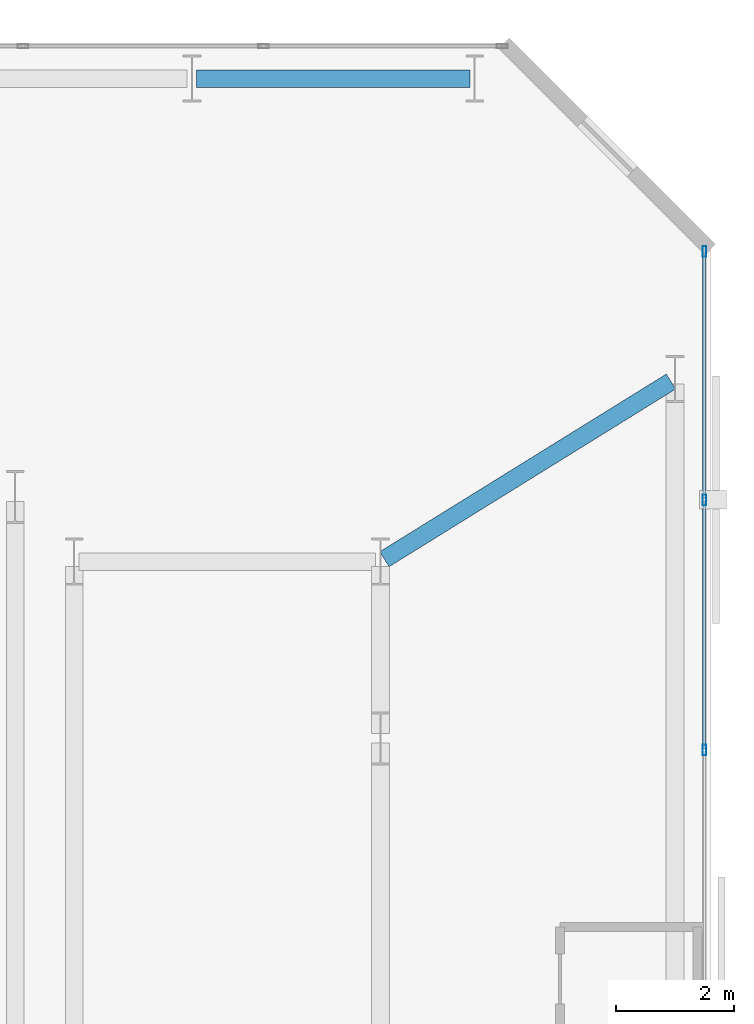
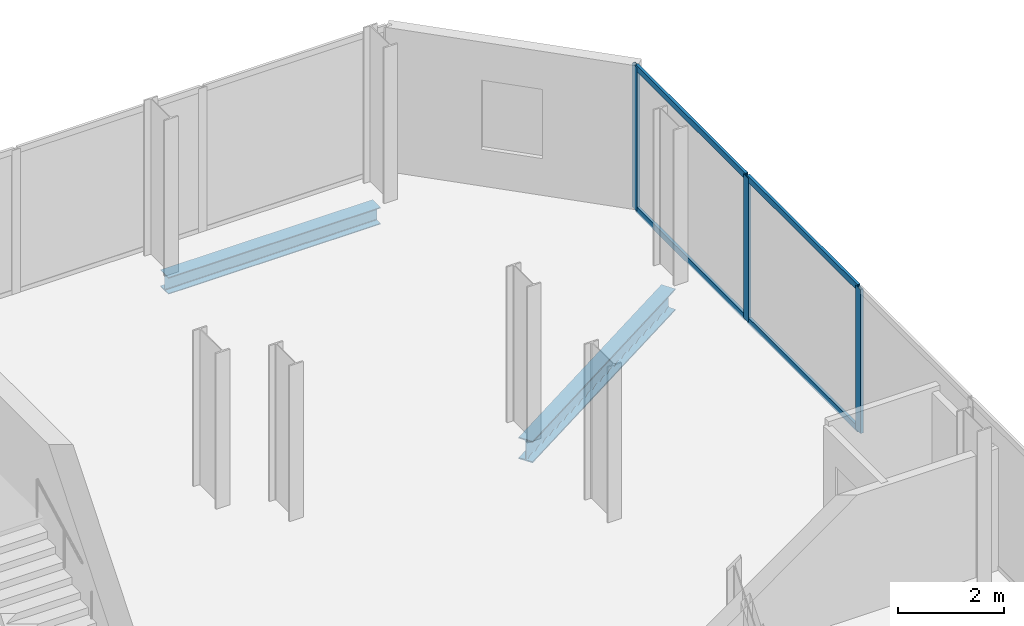
# One storey, part 25 of 33: 7 members, 2 beams, 1 element without a shape of its own.
"""IFC4 building model written with IfcOpenShell, lengths in metres."""

from ifc_helpers import new_model, si_unit, direction, frame, origin, origin_2d, place, context, subcontext, project, spatial, hollow_rectangle, i_section, extrude, material, layer, layer_set, material_profile, profile_set, type_object, element, aggregate, save


model = new_model("IFC4")

# Units and contexts
model_context = context("Model", 3, precision=1e-05, world=origin(), true_north=direction((0.0, 1.0)))
body_context = subcontext(model_context, "Body", "Model", "MODEL_VIEW")
ifc_project = project(units=[si_unit("LENGTHUNIT", "METRE"), si_unit("AREAUNIT", "SQUARE_METRE"), si_unit("VOLUMEUNIT", "CUBIC_METRE"), si_unit("PLANEANGLEUNIT", "RADIAN"), si_unit("MASSUNIT", "GRAM", prefix="KILO")], contexts=[model_context])

# Site, building, storey
site_placement = place(None, origin())
site = spatial("IfcSite", under=ifc_project, at=site_placement, CompositionType="ELEMENT")
building_placement = place(site_placement, origin())
building = spatial("IfcBuilding", under=site, at=building_placement, Name="Catumbela Crestline Tower", CompositionType="ELEMENT")
storey_placement = place(building_placement, frame((0.0, 0.0, 54.6)))
storey = spatial("IfcBuildingStorey", under=building, at=storey_placement, Name="L13", CompositionType="ELEMENT", Elevation=54.6)

# Beam
ifc_material_1 = material(Name="Structural steel S355J2", Category="steel")
ifc_material_profile_1 = material_profile(ifc_material_1, i_section(OverallWidth=0.3, OverallDepth=0.5, WebThickness=0.0145, FlangeThickness=0.028, FilletRadius=0.027, at=origin_2d()), Name="HEB 500")
ifc_profile_set_1 = profile_set([ifc_material_profile_1], Name="Structural steel S355J2")
beam_type_1 = type_object("IfcBeamType", Name="BG-HEB500", PredefinedType="BEAM", material=ifc_profile_set_1)
beam_1_placement = place(storey_placement, frame((50.468, 39.2422, -0.51), z_axis=(0.849908952007, 0.526929571479, 0.0), x_axis=(-0.526929571479, 0.849908952007, 0.0)))
element("IfcBeam", 1, at=beam_1_placement, inside=storey, type_object=beam_type_1, Name="L13 Beam BM-L13-N18", PredefinedType="BEAM", context=body_context, shape_type="SweptSolid", body=[
    extrude(i_section(OverallWidth=0.3, OverallDepth=0.5, WebThickness=0.0145, FlangeThickness=0.028, FilletRadius=0.027, at=origin_2d()), origin(), (0.0, 0.0, 1.0), 5.723),
])

# Curtain wall, members
ifc_material_2 = material(Name="Aluminium alloy AW-6060-T66", Category="aluminium")
ifc_layer = layer(ifc_material_2, 0.18, Name="Aluminium alloy AW-6060-T66")
ifc_layer_set = layer_set([ifc_layer], Name="Aluminium alloy AW-6060-T66")
curtain_wall_type = type_object("IfcCurtainWallType", Name="CWU-Z1", PredefinedType="USERDEFINED", material=ifc_layer_set)
curtain_wall_placement = place(storey_placement, origin())
curtain_wall = element("IfcCurtainWall", 2, at=curtain_wall_placement, inside=storey, type_object=curtain_wall_type, Name="L13 Unitised Curtain Wall CW-L13-E5S1", ObjectType="UNITISED", PredefinedType="USERDEFINED")
ifc_material_profile_2 = material_profile(ifc_material_2, hollow_rectangle(XDim=0.065, YDim=0.18, WallThickness=0.004, at=origin_2d()), Name="ALU 180x65x4")
ifc_profile_set_2 = profile_set([ifc_material_profile_2], Name="Aluminium alloy AW-6060-T66")
member_type_1 = type_object("IfcMemberType", Name="MUL-180X65", PredefinedType="MULLION", material=ifc_profile_set_2)
member_1_placement = place(storey_placement, frame((55.9, 36.0, 0.0), z_axis=(0.0, 0.0, 1.0), x_axis=(-1.0, 0.0, 0.0)))
member_1 = element("IfcMember", 3, at=member_1_placement, type_object=member_type_1, Name="CWU-Z1 mullion 3", PredefinedType="MULLION", context=body_context, shape_type="SweptSolid", body=[
    extrude(hollow_rectangle(XDim=0.065, YDim=0.18, WallThickness=0.004, at=origin_2d()), origin(), (0.0, 0.0, 1.0), 3.33),
])
member_2_placement = place(storey_placement, frame((55.9, 40.25, 0.0), z_axis=(0.0, 0.0, 1.0), x_axis=(-1.0, 0.0, 0.0)))
member_2 = element("IfcMember", 4, at=member_2_placement, type_object=member_type_1, Name="CWU-Z1 mullion 4", PredefinedType="MULLION", context=body_context, shape_type="SweptSolid", body=[
    extrude(hollow_rectangle(XDim=0.065, YDim=0.18, WallThickness=0.004, at=origin_2d()), origin(), (0.0, 0.0, 1.0), 3.33),
])
member_3_placement = place(storey_placement, frame((55.9, 44.4675, 0.0), z_axis=(0.0, 0.0, 1.0), x_axis=(-1.0, 0.0, 0.0)))
member_3 = element("IfcMember", 5, at=member_3_placement, type_object=member_type_1, Name="CWU-Z1 mullion 5", PredefinedType="MULLION", context=body_context, shape_type="SweptSolid", body=[
    extrude(hollow_rectangle(XDim=0.065, YDim=0.18, WallThickness=0.004, at=origin_2d()), origin(), (0.0, 0.0, 1.0), 3.33),
])

# Beam
ifc_material_profile_3 = material_profile(ifc_material_1, i_section(OverallWidth=0.3, OverallDepth=0.39, WebThickness=0.011, FlangeThickness=0.019, FilletRadius=0.027, at=origin_2d()), Name="HEA 400")
ifc_profile_set_3 = profile_set([ifc_material_profile_3], Name="Structural steel S355J2")
beam_type_2 = type_object("IfcBeamType", Name="BS-HEA400", PredefinedType="SPANDREL", material=ifc_profile_set_3)
beam_2_placement = place(storey_placement, frame((47.28, 47.4, -0.455), z_axis=(1.0, 0.0, 0.0), x_axis=(0.0, 1.0, 0.0)))
element("IfcBeam", 6, at=beam_2_placement, inside=storey, type_object=beam_type_2, Name="L13 Spandrel SP-L13-NF24", PredefinedType="SPANDREL", context=body_context, shape_type="SweptSolid", body=[
    extrude(i_section(OverallWidth=0.3, OverallDepth=0.39, WebThickness=0.011, FlangeThickness=0.019, FilletRadius=0.027, at=origin_2d()), origin(), (0.0, 0.0, 1.0), 4.64),
])

# Member
ifc_material_profile_4 = material_profile(ifc_material_2, hollow_rectangle(XDim=0.06, YDim=0.14, WallThickness=0.004, at=origin_2d()), Name="ALU 140x60x4")
ifc_profile_set_4 = profile_set([ifc_material_profile_4], Name="Aluminium alloy AW-6060-T66")
member_type_2 = type_object("IfcMemberType", Name="TRN-140X60", PredefinedType="USERDEFINED", material=ifc_profile_set_4)
member_4_placement = place(storey_placement, frame((55.9, 36.0325, 0.03), z_axis=(0.0, 1.0, 0.0), x_axis=(-1.0, 0.0, 0.0)))
member_4 = element("IfcMember", 7, at=member_4_placement, type_object=member_type_2, Name="CWU-Z1 transom 3.1", ObjectType="TRANSOM", PredefinedType="USERDEFINED", context=body_context, shape_type="SweptSolid", body=[
    extrude(hollow_rectangle(XDim=0.06, YDim=0.14, WallThickness=0.004, at=origin_2d()), origin(), (0.0, 0.0, 1.0), 4.185),
])

member_5_placement = place(storey_placement, frame((55.9, 36.0325, 3.3), z_axis=(0.0, 1.0, 0.0), x_axis=(-1.0, 0.0, 0.0)))
member_5 = element("IfcMember", 8, at=member_5_placement, type_object=member_type_2, Name="CWU-Z1 transom 3.2", ObjectType="TRANSOM", PredefinedType="USERDEFINED", context=body_context, shape_type="SweptSolid", body=[
    extrude(hollow_rectangle(XDim=0.06, YDim=0.14, WallThickness=0.004, at=origin_2d()), origin(), (0.0, 0.0, 1.0), 4.185),
])

member_6_placement = place(storey_placement, frame((55.9, 40.2825, 0.03), z_axis=(0.0, 1.0, 0.0), x_axis=(-1.0, 0.0, 0.0)))
member_6 = element("IfcMember", 9, at=member_6_placement, type_object=member_type_2, Name="CWU-Z1 transom 4.1", ObjectType="TRANSOM", PredefinedType="USERDEFINED", context=body_context, shape_type="SweptSolid", body=[
    extrude(hollow_rectangle(XDim=0.06, YDim=0.14, WallThickness=0.004, at=origin_2d()), origin(), (0.0, 0.0, 1.0), 4.1525),
])

member_7_placement = place(storey_placement, frame((55.9, 40.2825, 3.3), z_axis=(0.0, 1.0, 0.0), x_axis=(-1.0, 0.0, 0.0)))
member_7 = element("IfcMember", 10, at=member_7_placement, type_object=member_type_2, Name="CWU-Z1 transom 4.2", ObjectType="TRANSOM", PredefinedType="USERDEFINED", context=body_context, shape_type="SweptSolid", body=[
    extrude(hollow_rectangle(XDim=0.06, YDim=0.14, WallThickness=0.004, at=origin_2d()), origin(), (0.0, 0.0, 1.0), 4.1525),
])

aggregate(curtain_wall, [member_1, member_2, member_3, member_4, member_5, member_6, member_7])

save(model, "model.ifc")
